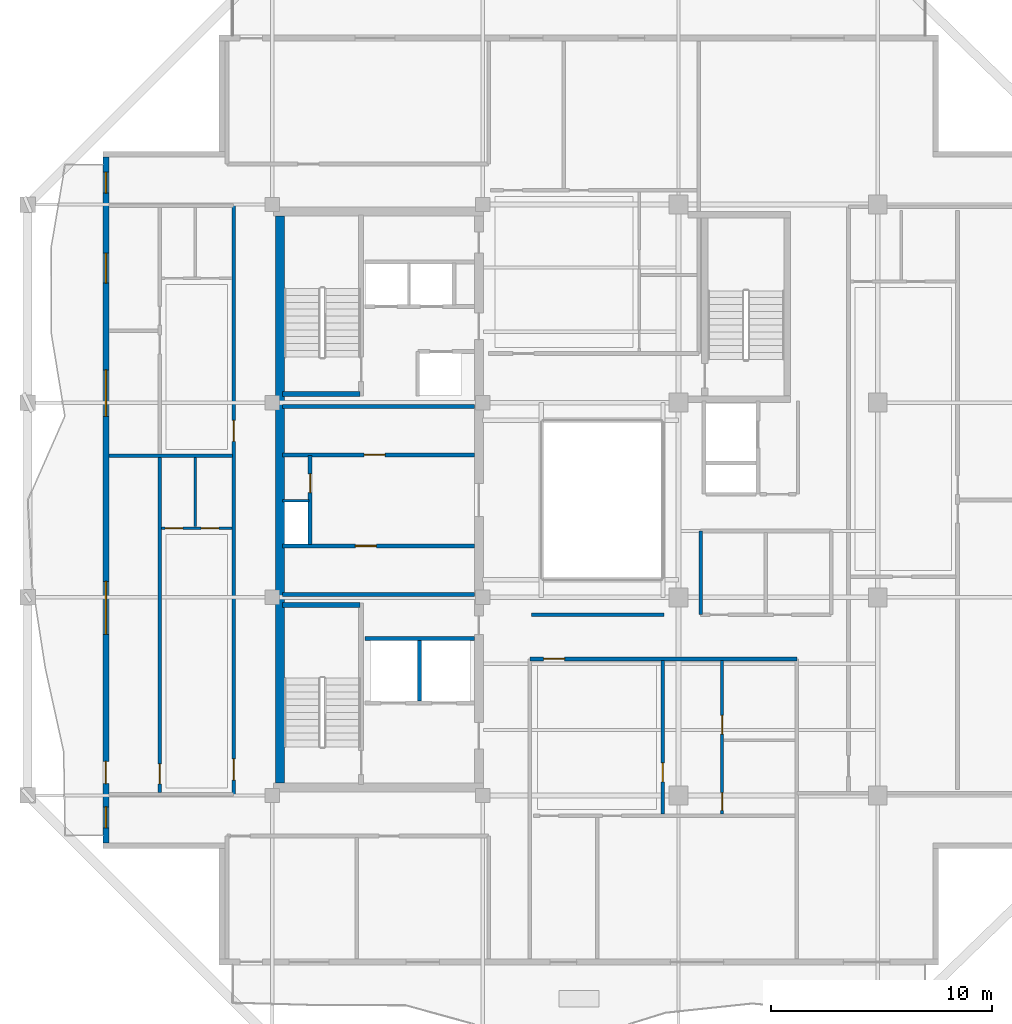
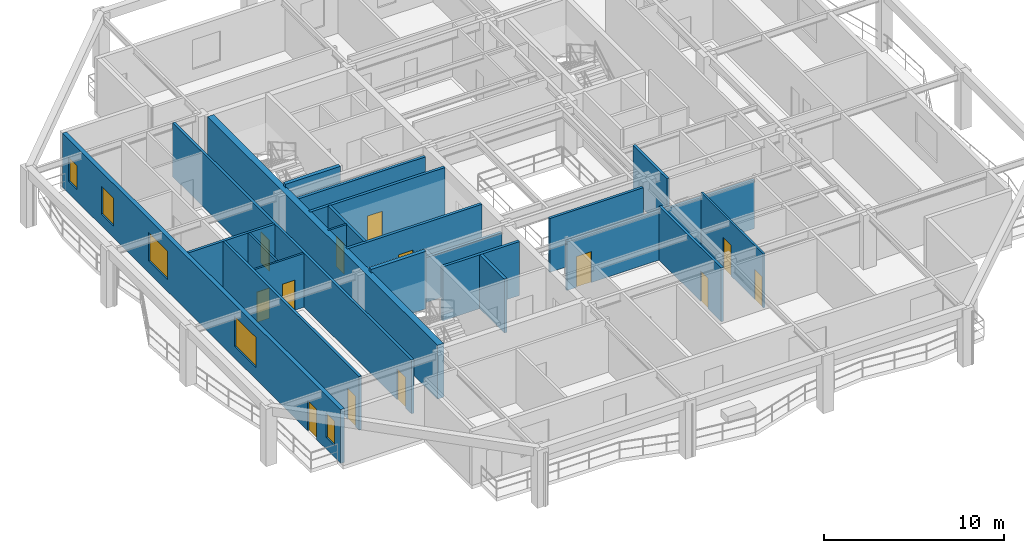
# One storey, part 3 of 11: 22 walls, 13 doors, 5 windows, 18 openings.
"""IFC4 building model written with IfcOpenShell, lengths in metres."""

from ifc_helpers import new_model, si_unit, direction, frame, frame_2d, origin, place, context, subcontext, project, spatial, rectangle, extrude, material, layer, layer_set, type_object, element, fill, save


model = new_model("IFC4")

# Units and contexts
model_context = context("Model", 3, precision=1e-05, world=origin(), true_north=direction((0.0, 1.0)))
body_context = subcontext(model_context, "Body", "Model", "MODEL_VIEW")
ifc_project = project(units=[si_unit("LENGTHUNIT", "METRE"), si_unit("AREAUNIT", "SQUARE_METRE"), si_unit("VOLUMEUNIT", "CUBIC_METRE"), si_unit("PLANEANGLEUNIT", "RADIAN"), si_unit("MASSUNIT", "GRAM", prefix="KILO")], contexts=[model_context])

# Site, building, storey
site_placement = place(None, origin())
site = spatial("IfcSite", under=ifc_project, at=site_placement, CompositionType="ELEMENT")
building_placement = place(site_placement, origin())
building = spatial("IfcBuilding", under=site, at=building_placement, Name="Kundavana Baori Tower", CompositionType="ELEMENT")
storey_placement = place(building_placement, frame((0.0, 0.0, 257.0)))
storey = spatial("IfcBuildingStorey", under=building, at=storey_placement, Name="L63", CompositionType="ELEMENT", Elevation=257.0)

# Walls
ifc_material_1 = material(Name="Concrete C50/60", Category="concrete")
ifc_layer_1 = layer(ifc_material_1, 0.39990234375, Name="WL-CORE-400")
ifc_layer_set_1 = layer_set([ifc_layer_1], Name="Concrete C50/60")
wall_type_1 = type_object("IfcWallType", Name="WL-CORE-400", PredefinedType="SHEAR", material=ifc_layer_set_1)
wall_1_placement = place(storey_placement, frame((15.7900390625, 15.81005859375, 0.0), z_axis=(0.0, 0.0, 1.0), x_axis=(0.0, 1.0, 0.0)))
element("IfcWall", 1, at=wall_1_placement, inside=storey, type_object=wall_type_1, Name="L63 Offset Core West Shear Wall", PredefinedType="SHEAR", context=body_context, shape_type="SweptSolid", body=[
    extrude(rectangle(XDim=25.6298828125, YDim=0.39990234375, at=frame_2d((12.81494140625, 0.0))), origin(), (0.0, 0.0, 1.0), 3.659912109375),
])
for number, where, z_axis, x_axis, name in (
    (2, (15.89990234375, 23.860107421875, 0.0), (0.0, 0.0, 1.0), (1.0, 0.0, 0.0), "WL-L63-ST1-N"),
    (3, (15.89990234375, 33.389892578125, 0.0), (0.0, 0.0, 1.0), (1.0, 0.0, 0.0), "WL-L63-ST2-S"),
):
    element("IfcWall", number, at=place(storey_placement, frame(where, z_axis=z_axis, x_axis=x_axis)), inside=storey, type_object=wall_type_1, Name=name, PredefinedType="SHEAR", context=body_context, shape_type="SweptSolid", body=[
        extrude(rectangle(XDim=3.52001953125, YDim=0.239990234375, at=frame_2d((1.760009765625, 0.0))), origin(), (0.0, 0.0, 1.0), 3.89990234375),
    ])

# Wall, openings, door, windows
ifc_material_2 = material(Name="Kiln-Fired Terracotta Brick-Slip Masonry on Concrete C40/50", Category="masonry")
ifc_layer_2 = layer(ifc_material_2, 0.260009765625, Name="WL-EXT-BRK-260")
ifc_layer_set_2 = layer_set([ifc_layer_2], Name="Kiln-Fired Terracotta Brick-Slip Masonry on Concrete C40/50")
wall_type_2 = type_object("IfcWallType", Name="WL-EXT-BRK-260", PredefinedType="SOLIDWALL", material=ifc_layer_set_2)
wall_2_placement = place(storey_placement, frame((7.929931640625, 44.090087890625, 0.0), z_axis=(0.0, 0.0, 1.0), x_axis=(0.0, -1.0, 0.0)))
wall_2 = element("IfcWall", 4, at=wall_2_placement, inside=storey, type_object=wall_type_2, Name="L63 Exterior Insulated Facade Wall 10", PredefinedType="SOLIDWALL", context=body_context, shape_type="SweptSolid", body=[
    extrude(rectangle(XDim=30.97998046875, YDim=0.260009765625, at=frame_2d((15.489990234375, 0.0))), origin(), (0.0, 0.0, 1.0), 3.659912109375),
])
opening_1_placement = place(wall_2_placement, frame((29.35498046875, 0.0, 0.800048828125)))
opening_1 = element("IfcOpeningElement", 5, at=opening_1_placement, cuts=wall_2, Name="Opening W-13", PredefinedType="OPENING", context=body_context, shape_type="SweptSolid", body=[
    extrude(rectangle(XDim=0.949951171875, YDim=1.64990234375, at=frame_2d((0.47509765625, 0.824951171875))), frame((0.0, 0.14013671875, 0.0), z_axis=(0.0, -1.0, 0.0), x_axis=(1.0, 0.0, 0.0)), (0.0, 0.0, 1.0), 0.280029296875),
])
opening_2_placement = place(wall_2_placement, frame((27.300048828125, 0.0, 0.0)))
opening_2 = element("IfcOpeningElement", 6, at=opening_2_placement, cuts=wall_2, Name="Opening BD-1", PredefinedType="OPENING", context=body_context, shape_type="SweptSolid", body=[
    extrude(rectangle(XDim=1.0, YDim=2.050048828125, at=frame_2d((0.5, 1.02490234375))), frame((0.0, 0.14013671875, 0.0), z_axis=(0.0, -1.0, 0.0), x_axis=(1.0, 0.0, 0.0)), (0.0, 0.0, 1.0), 0.280029296875),
])
opening_3_placement = place(wall_2_placement, frame((19.1650390625, 0.0, 0.800048828125)))
opening_3 = element("IfcOpeningElement", 7, at=opening_3_placement, cuts=wall_2, Name="Opening W-04", PredefinedType="OPENING", context=body_context, shape_type="SweptSolid", body=[
    extrude(rectangle(XDim=2.39990234375, YDim=2.050048828125, at=frame_2d((1.199951171875, 1.02490234375))), frame((0.0, 0.14013671875, 0.0), z_axis=(0.0, -1.0, 0.0), x_axis=(1.0, 0.0, 0.0)), (0.0, 0.0, 1.0), 0.280029296875),
])
opening_4_placement = place(wall_2_placement, frame((9.614990234375, 0.0, 0.800048828125)))
opening_4 = element("IfcOpeningElement", 8, at=opening_4_placement, cuts=wall_2, Name="Opening W-05", PredefinedType="OPENING", context=body_context, shape_type="SweptSolid", body=[
    extrude(rectangle(XDim=2.10009765625, YDim=1.949951171875, at=frame_2d((1.050048828125, 0.97509765625))), frame((0.0, 0.14013671875, 0.0), z_axis=(0.0, -1.0, 0.0), x_axis=(1.0, 0.0, 0.0)), (0.0, 0.0, 1.0), 0.280029296875),
])
opening_5_placement = place(wall_2_placement, frame((4.340087890625, 0.0, 0.800048828125)))
opening_5 = element("IfcOpeningElement", 9, at=opening_5_placement, cuts=wall_2, Name="Opening W-07", PredefinedType="OPENING", context=body_context, shape_type="SweptSolid", body=[
    extrude(rectangle(XDim=1.35009765625, YDim=1.89990234375, at=frame_2d((0.675048828125, 0.949951171875))), frame((0.0, 0.14013671875, 0.0), z_axis=(0.0, -1.0, 0.0), x_axis=(1.0, 0.0, 0.0)), (0.0, 0.0, 1.0), 0.280029296875),
])
opening_6_placement = place(wall_2_placement, frame((0.675048828125, 0.0, 0.800048828125)))
opening_6 = element("IfcOpeningElement", 10, at=opening_6_placement, cuts=wall_2, Name="Opening W-13", PredefinedType="OPENING", context=body_context, shape_type="SweptSolid", body=[
    extrude(rectangle(XDim=0.949951171875, YDim=1.64990234375, at=frame_2d((0.47509765625, 0.824951171875))), frame((0.0, 0.14013671875, 0.0), z_axis=(0.0, -1.0, 0.0), x_axis=(1.0, 0.0, 0.0)), (0.0, 0.0, 1.0), 0.280029296875),
])
ifc_material_3 = material(Name="Architectural Patinated Bronze Metalwork")
door_type_1 = type_object("IfcDoorType", Name="DR-EXT-LOG-1000", OperationType="NOTDEFINED", PredefinedType="DOOR", material=ifc_material_3)
door_1_placement = place(opening_2_placement, frame((1.0, 0.0, 0.0), z_axis=(0.0, 0.0, 1.0), x_axis=(-1.0, 0.0, 0.0)))
door_1 = element("IfcDoor", 11, at=door_1_placement, inside=storey, type_object=door_type_1, Name="L63 Loggia Balcony Access Door W", OperationType="SINGLE_SWING_LEFT", OverallHeight=2.050048828125, OverallWidth=1.0, PredefinedType="DOOR", context=body_context, shape_type="SweptSolid", body=[
    extrude(rectangle(XDim=1.0, YDim=2.050048828125, at=frame_2d((0.5, 1.02490234375))), frame((0.0, 0.02490234375, 0.0), z_axis=(0.0, -1.0, 0.0), x_axis=(1.0, 0.0, 0.0)), (0.0, 0.0, 1.0), 0.050048828125),
])
fill(opening_2, door_1)
ifc_material_4 = material(Name="Double-Glazed Solar-Control Low-E Insulated Glass", Category="glass")
window_type_1 = type_object("IfcWindowType", Name="WIN-LOG-1350x1900", PartitioningType="SINGLE_PANEL", PredefinedType="WINDOW", material=ifc_material_4)
window_1_placement = place(opening_5_placement, origin())
window_1 = element("IfcWindow", 12, at=window_1_placement, inside=storey, type_object=window_type_1, Name="L63 Recessed Loggia Window W-4", OverallHeight=1.89990234375, OverallWidth=1.35009765625, PartitioningType="SINGLE_PANEL", PredefinedType="WINDOW", context=body_context, shape_type="SweptSolid", body=[
    extrude(rectangle(XDim=1.35009765625, YDim=1.89990234375, at=frame_2d((0.675048828125, 0.949951171875))), frame((0.0, 0.030029296875, 0.0), z_axis=(0.0, -1.0, 0.0), x_axis=(1.0, 0.0, 0.0)), (0.0, 0.0, 1.0), 0.06005859375),
])
fill(opening_5, window_1)
ifc_material_5 = material(Name="Double-Glazed Solar-Control Low-E Insulated Glass", Category="glass")
window_type_2 = type_object("IfcWindowType", Name="WIN-LOG-2100x1950", PartitioningType="SINGLE_PANEL", PredefinedType="WINDOW", material=ifc_material_5)
window_2_placement = place(opening_4_placement, origin())
window_2 = element("IfcWindow", 13, at=window_2_placement, inside=storey, type_object=window_type_2, Name="L63 Recessed Loggia Window W-3", OverallHeight=1.949951171875, OverallWidth=2.10009765625, PartitioningType="SINGLE_PANEL", PredefinedType="WINDOW", context=body_context, shape_type="SweptSolid", body=[
    extrude(rectangle(XDim=2.10009765625, YDim=1.949951171875, at=frame_2d((1.050048828125, 0.97509765625))), frame((0.0, 0.030029296875, 0.0), z_axis=(0.0, -1.0, 0.0), x_axis=(1.0, 0.0, 0.0)), (0.0, 0.0, 1.0), 0.06005859375),
])
fill(opening_4, window_2)
ifc_material_6 = material(Name="Double-Glazed Solar-Control Low-E Insulated Glass", Category="glass")
window_type_3 = type_object("IfcWindowType", Name="WIN-LOG-2400x2050", PartitioningType="SINGLE_PANEL", PredefinedType="WINDOW", material=ifc_material_6)
window_3_placement = place(opening_3_placement, origin())
window_3 = element("IfcWindow", 14, at=window_3_placement, inside=storey, type_object=window_type_3, Name="L63 Recessed Loggia Window W-2", OverallHeight=2.050048828125, OverallWidth=2.39990234375, PartitioningType="SINGLE_PANEL", PredefinedType="WINDOW", context=body_context, shape_type="SweptSolid", body=[
    extrude(rectangle(XDim=2.39990234375, YDim=2.050048828125, at=frame_2d((1.199951171875, 1.02490234375))), frame((0.0, 0.030029296875, 0.0), z_axis=(0.0, -1.0, 0.0), x_axis=(1.0, 0.0, 0.0)), (0.0, 0.0, 1.0), 0.06005859375),
])
fill(opening_3, window_3)
ifc_material_7 = material(Name="Double-Glazed Solar-Control Low-E Insulated Glass", Category="glass")
window_type_4 = type_object("IfcWindowType", Name="WIN-LOG-950x1650", PartitioningType="SINGLE_PANEL", PredefinedType="WINDOW", material=ifc_material_7)
window_4_placement = place(opening_1_placement, origin())
window_4 = element("IfcWindow", 15, at=window_4_placement, inside=storey, type_object=window_type_4, Name="L63 Recessed Loggia Window W-1", OverallHeight=1.64990234375, OverallWidth=0.949951171875, PartitioningType="SINGLE_PANEL", PredefinedType="WINDOW", context=body_context, shape_type="SweptSolid", body=[
    extrude(rectangle(XDim=0.949951171875, YDim=1.64990234375, at=frame_2d((0.47509765625, 0.824951171875))), frame((0.0, 0.030029296875, 0.0), z_axis=(0.0, -1.0, 0.0), x_axis=(1.0, 0.0, 0.0)), (0.0, 0.0, 1.0), 0.06005859375),
])
fill(opening_1, window_4)
window_5_placement = place(opening_6_placement, origin())
window_5 = element("IfcWindow", 16, at=window_5_placement, inside=storey, type_object=window_type_4, Name="L63 Recessed Loggia Window W-5", OverallHeight=1.64990234375, OverallWidth=0.949951171875, PartitioningType="SINGLE_PANEL", PredefinedType="WINDOW", context=body_context, shape_type="SweptSolid", body=[
    extrude(rectangle(XDim=0.949951171875, YDim=1.64990234375, at=frame_2d((0.47509765625, 0.824951171875))), frame((0.0, 0.030029296875, 0.0), z_axis=(0.0, -1.0, 0.0), x_axis=(1.0, 0.0, 0.0)), (0.0, 0.0, 1.0), 0.06005859375),
])
fill(opening_6, window_5)

# Wall
ifc_material_8 = material(Name="Acoustic Gypsum Plasterboard on Galvanised Steel Studs", Category="steel")
ifc_layer_3 = layer(ifc_material_8, 0.1201171875, Name="WL-PART-120")
ifc_layer_set_3 = layer_set([ifc_layer_3], Name="Acoustic Gypsum Plasterboard on Galvanised Steel Studs")
wall_type_3 = type_object("IfcWallType", Name="WL-PART-120", PredefinedType="PARTITIONING", material=ifc_layer_set_3)
wall_3_placement = place(storey_placement, frame((15.89990234375, 28.56005859375, 0.0), z_axis=(0.0, 0.0, 1.0), x_axis=(1.0, 0.0, 0.0)))
element("IfcWall", 17, at=wall_3_placement, inside=storey, type_object=wall_type_3, Name="WL-L63-RSRW-N", PredefinedType="PARTITIONING", context=body_context, shape_type="SweptSolid", body=[
    extrude(rectangle(XDim=1.2001953125, YDim=0.1201171875, at=frame_2d((0.60009765625, 0.0))), origin(), (0.0, 0.0, 1.0), 3.659912109375),
])

# Wall, opening, door
ifc_material_9 = material(Name="Fire-Rated Gypsum Drywall on Galvanised Steel Studs", Category="steel")
ifc_layer_4 = layer(ifc_material_9, 0.1650390625, Name="WL-PART-165")
ifc_layer_set_4 = layer_set([ifc_layer_4], Name="Fire-Rated Gypsum Drywall on Galvanised Steel Studs")
wall_type_4 = type_object("IfcWallType", Name="WL-PART-165", PredefinedType="PARTITIONING", material=ifc_layer_set_4)
wall_4_placement = place(storey_placement, frame((27.080078125, 21.419921875, 0.0), z_axis=(0.0, 0.0, 1.0), x_axis=(1.0, 0.0, 0.0)))
wall_4 = element("IfcWall", 18, at=wall_4_placement, inside=storey, type_object=wall_type_4, Name="WL-L63-RS", PredefinedType="PARTITIONING", context=body_context, shape_type="SweptSolid", body=[
    extrude(rectangle(XDim=12.06982421875, YDim=0.1650390625, at=frame_2d((6.034912109375, 0.0))), origin(), (0.0, 0.0, 1.0), 3.31005859375),
])
opening_7_placement = place(wall_4_placement, frame((0.6298828125, 0.0, 0.0)))
opening_7 = element("IfcOpeningElement", 19, at=opening_7_placement, cuts=wall_4, Name="Opening FD-095", PredefinedType="OPENING", context=body_context, shape_type="SweptSolid", body=[
    extrude(rectangle(XDim=0.949951171875, YDim=2.10009765625, at=frame_2d((0.47509765625, 1.050048828125))), frame((0.0, 0.092529296875, 0.0), z_axis=(0.0, -1.0, 0.0), x_axis=(1.0, 0.0, 0.0)), (0.0, 0.0, 1.0), 0.18505859375),
])
ifc_material_10 = material(Name="Engineered Teak Fire-Rated Timber Door Leaf", Category="wood")
door_type_2 = type_object("IfcDoorType", Name="DR-FD60-950", OperationType="NOTDEFINED", PredefinedType="DOOR", material=ifc_material_10)
door_2_placement = place(opening_7_placement, frame((0.949951171875, 0.0, 0.0), z_axis=(0.0, 0.0, 1.0), x_axis=(-1.0, 0.0, 0.0)))
door_2 = element("IfcDoor", 20, at=door_2_placement, inside=storey, type_object=door_type_2, Name="DR-L63-S1-ENT", OperationType="SINGLE_SWING_RIGHT", OverallHeight=2.10009765625, OverallWidth=0.949951171875, PredefinedType="DOOR", context=body_context, shape_type="SweptSolid", body=[
    extrude(rectangle(XDim=0.949951171875, YDim=2.10009765625, at=frame_2d((0.47509765625, 1.050048828125))), frame((0.0, 0.02490234375, 0.0), z_axis=(0.0, -1.0, 0.0), x_axis=(1.0, 0.0, 0.0)), (0.0, 0.0, 1.0), 0.050048828125),
])
fill(opening_7, door_2)

# Wall
wall_5_placement = place(storey_placement, frame((27.14990234375, 23.419921875, 0.0), z_axis=(0.0, 0.0, 1.0), x_axis=(1.0, 0.0, 0.0)))
element("IfcWall", 21, at=wall_5_placement, inside=storey, type_object=wall_type_4, Name="WL-L63-RST", PredefinedType="PARTITIONING", context=body_context, shape_type="SweptSolid", body=[
    extrude(rectangle(XDim=6.0, YDim=0.1650390625, at=frame_2d((3.0, 0.0))), origin(), (0.0, 0.0, 1.0), 3.659912109375),
])

# Wall, openings, doors
wall_6_placement = place(storey_placement, frame((13.699951171875, 15.300048828125, 0.0), z_axis=(0.0, 0.0, 1.0), x_axis=(0.0, 1.0, 0.0)))
wall_6 = element("IfcWall", 22, at=wall_6_placement, inside=storey, type_object=wall_type_4, Name="WL-L63-RW", PredefinedType="PARTITIONING", context=body_context, shape_type="SweptSolid", body=[
    extrude(rectangle(XDim=26.599853515625, YDim=0.1650390625, at=frame_2d((13.2998046875, 0.0))), origin(), (0.0, 0.0, 1.0), 3.659912109375),
])
opening_8_placement = place(wall_6_placement, frame((0.64990234375, 0.0, 0.0)))
opening_8 = element("IfcOpeningElement", 23, at=opening_8_placement, cuts=wall_6, Name="Opening FD-095", PredefinedType="OPENING", context=body_context, shape_type="SweptSolid", body=[
    extrude(rectangle(XDim=0.949951171875, YDim=2.10009765625, at=frame_2d((0.47509765625, 1.050048828125))), frame((0.0, 0.092529296875, 0.0), z_axis=(0.0, -1.0, 0.0), x_axis=(1.0, 0.0, 0.0)), (0.0, 0.0, 1.0), 0.18505859375),
])
opening_9_placement = place(wall_6_placement, frame((15.949951171875, 0.0, 0.0)))
opening_9 = element("IfcOpeningElement", 24, at=opening_9_placement, cuts=wall_6, Name="Opening FD-095", PredefinedType="OPENING", context=body_context, shape_type="SweptSolid", body=[
    extrude(rectangle(XDim=0.949951171875, YDim=2.10009765625, at=frame_2d((0.47509765625, 1.050048828125))), frame((0.0, 0.092529296875, 0.0), z_axis=(0.0, -1.0, 0.0), x_axis=(1.0, 0.0, 0.0)), (0.0, 0.0, 1.0), 0.18505859375),
])
door_3_placement = place(opening_8_placement, frame((0.949951171875, 0.0, 0.0), z_axis=(0.0, 0.0, 1.0), x_axis=(-1.0, 0.0, 0.0)))
door_3 = element("IfcDoor", 25, at=door_3_placement, inside=storey, type_object=door_type_2, Name="DR-L63-W1-ENT", OperationType="SINGLE_SWING_LEFT", OverallHeight=2.10009765625, OverallWidth=0.949951171875, PredefinedType="DOOR", context=body_context, shape_type="SweptSolid", body=[
    extrude(rectangle(XDim=0.949951171875, YDim=2.10009765625, at=frame_2d((0.47509765625, 1.050048828125))), frame((0.0, 0.02490234375, 0.0), z_axis=(0.0, -1.0, 0.0), x_axis=(1.0, 0.0, 0.0)), (0.0, 0.0, 1.0), 0.050048828125),
])
fill(opening_8, door_3)
door_4_placement = place(opening_9_placement, frame((0.949951171875, 0.0, 0.0), z_axis=(0.0, 0.0, 1.0), x_axis=(-1.0, 0.0, 0.0)))
door_4 = element("IfcDoor", 26, at=door_4_placement, inside=storey, type_object=door_type_2, Name="DR-L63-W2-ENT", OperationType="SINGLE_SWING_LEFT", OverallHeight=2.10009765625, OverallWidth=0.949951171875, PredefinedType="DOOR", context=body_context, shape_type="SweptSolid", body=[
    extrude(rectangle(XDim=0.949951171875, YDim=2.10009765625, at=frame_2d((0.47509765625, 1.050048828125))), frame((0.0, 0.02490234375, 0.0), z_axis=(0.0, -1.0, 0.0), x_axis=(1.0, 0.0, 0.0)), (0.0, 0.0, 1.0), 0.050048828125),
])
fill(opening_9, door_4)

# Wall, opening, door
wall_7_placement = place(storey_placement, frame((10.3701171875, 15.3798828125, 0.0), z_axis=(0.0, 0.0, 1.0), x_axis=(0.0, 1.0, 0.0)))
wall_7 = element("IfcWall", 27, at=wall_7_placement, inside=storey, type_object=wall_type_4, Name="WL-L63-W1-VT", PredefinedType="PARTITIONING", context=body_context, shape_type="SweptSolid", body=[
    extrude(rectangle(XDim=15.14013671875, YDim=0.1650390625, at=frame_2d((7.570068359375, 0.0))), origin(), (0.0, 0.0, 1.0), 3.659912109375),
])
opening_10_placement = place(wall_7_placement, frame((0.39990234375, 0.0, 0.0)))
opening_10 = element("IfcOpeningElement", 28, at=opening_10_placement, cuts=wall_7, Name="Opening ID-090", PredefinedType="OPENING", context=body_context, shape_type="SweptSolid", body=[
    extrude(rectangle(XDim=0.89990234375, YDim=2.080078125, at=frame_2d((0.449951171875, 1.0400390625))), frame((0.0, 0.092529296875, 0.0), z_axis=(0.0, -1.0, 0.0), x_axis=(1.0, 0.0, 0.0)), (0.0, 0.0, 1.0), 0.18505859375),
])
ifc_material_11 = material(Name="Engineered Teak Solid-Core Timber Veneer", Category="wood")
door_type_3 = type_object("IfcDoorType", Name="DR-INT-900", OperationType="NOTDEFINED", PredefinedType="DOOR", material=ifc_material_11)
door_5_placement = place(opening_10_placement, frame((0.89990234375, 0.0, 0.0), z_axis=(0.0, 0.0, 1.0), x_axis=(-1.0, 0.0, 0.0)))
door_5 = element("IfcDoor", 29, at=door_5_placement, inside=storey, type_object=door_type_3, Name="DR-L63-W1-B1", OperationType="SINGLE_SWING_LEFT", OverallHeight=2.080078125, OverallWidth=0.89990234375, PredefinedType="DOOR", context=body_context, shape_type="SweptSolid", body=[
    extrude(rectangle(XDim=0.89990234375, YDim=2.080078125, at=frame_2d((0.449951171875, 1.0400390625))), frame((0.0, 0.02490234375, 0.0), z_axis=(0.0, -1.0, 0.0), x_axis=(1.0, 0.0, 0.0)), (0.0, 0.0, 1.0), 0.050048828125),
])
fill(opening_10, door_5)

# Wall
wall_8_placement = place(storey_placement, frame((8.080078125, 30.60009765625, 0.0), z_axis=(0.0, 0.0, 1.0), x_axis=(1.0, 0.0, 0.0)))
element("IfcWall", 30, at=wall_8_placement, inside=storey, type_object=wall_type_4, Name="WL-L63-RWD1", PredefinedType="PARTITIONING", context=body_context, shape_type="SweptSolid", body=[
    extrude(rectangle(XDim=5.559814453125, YDim=0.1650390625, at=frame_2d((2.77978515625, 0.0))), origin(), (0.0, 0.0, 1.0), 3.659912109375),
])

# Wall, opening, door
wall_9_placement = place(storey_placement, frame((33.090087890625, 14.4208984375, 0.0), z_axis=(0.0, 0.0, 1.0), x_axis=(0.0, 1.0, 0.0)))
wall_9 = element("IfcWall", 31, at=wall_9_placement, inside=storey, type_object=wall_type_4, Name="WL-L63-S1-STU", PredefinedType="PARTITIONING", context=body_context, shape_type="SweptSolid", body=[
    extrude(rectangle(XDim=6.919189453125, YDim=0.1650390625, at=frame_2d((3.45947265625, 0.0))), origin(), (0.0, 0.0, 1.0), 3.659912109375),
])
opening_11_placement = place(wall_9_placement, frame((1.449951171875, 0.0, 0.0)))
opening_11 = element("IfcOpeningElement", 32, at=opening_11_placement, cuts=wall_9, Name="Opening ID-085", PredefinedType="OPENING", context=body_context, shape_type="SweptSolid", body=[
    extrude(rectangle(XDim=0.85009765625, YDim=2.080078125, at=frame_2d((0.425048828125, 1.0400390625))), frame((0.0, 0.092529296875, 0.0), z_axis=(0.0, -1.0, 0.0), x_axis=(1.0, 0.0, 0.0)), (0.0, 0.0, 1.0), 0.18505859375),
])
ifc_material_12 = material(Name="Engineered Teak Solid-Core Timber Veneer", Category="wood")
door_type_4 = type_object("IfcDoorType", Name="DR-INT-850", OperationType="NOTDEFINED", PredefinedType="DOOR", material=ifc_material_12)
door_6_placement = place(opening_11_placement, origin())
door_6 = element("IfcDoor", 33, at=door_6_placement, inside=storey, type_object=door_type_4, Name="DR-L63-S1-STD", OperationType="SINGLE_SWING_LEFT", OverallHeight=2.080078125, OverallWidth=0.85009765625, PredefinedType="DOOR", context=body_context, shape_type="SweptSolid", body=[
    extrude(rectangle(XDim=0.85009765625, YDim=2.080078125, at=frame_2d((0.425048828125, 1.0400390625))), frame((0.0, 0.02490234375, 0.0), z_axis=(0.0, -1.0, 0.0), x_axis=(1.0, 0.0, 0.0)), (0.0, 0.0, 1.0), 0.050048828125),
])
fill(opening_11, door_6)

# Walls
wall_10_placement = place(storey_placement, frame((34.800048828125, 23.419921875, 0.0), z_axis=(0.0, 0.0, 1.0), x_axis=(0.0, 1.0, 0.0)))
element("IfcWall", 34, at=wall_10_placement, inside=storey, type_object=wall_type_4, Name="WL-L63-ALW", PredefinedType="PARTITIONING", context=body_context, shape_type="SweptSolid", body=[
    extrude(rectangle(XDim=3.780029296875, YDim=0.1650390625, at=frame_2d((1.89013671875, 0.0))), origin(), (0.0, 0.0, 1.0), 3.659912109375),
])
ifc_material_13 = material(Name="Autoclaved Aerated Concrete Blockwork Masonry", Category="masonry")
ifc_layer_5 = layer(ifc_material_13, 0.179931640625, Name="WL-SHAFT-180")
ifc_layer_set_5 = layer_set([ifc_layer_5], Name="Autoclaved Aerated Concrete Blockwork Masonry")
wall_type_5 = type_object("IfcWallType", Name="WL-SHAFT-180", PredefinedType="SOLIDWALL", material=ifc_layer_set_5)
wall_11_placement = place(storey_placement, frame((22.10009765625, 19.510009765625, 0.0), z_axis=(0.0, 0.0, 1.0), x_axis=(0.0, 1.0, 0.0)))
element("IfcWall", 35, at=wall_11_placement, inside=storey, type_object=wall_type_5, Name="WL-L63-FFL-MID", PredefinedType="SOLIDWALL", context=body_context, shape_type="SweptSolid", body=[
    extrude(rectangle(XDim=2.739990234375, YDim=0.179931640625, at=frame_2d((1.3701171875, 0.0))), origin(), (0.0, 0.0, 1.0), 3.659912109375),
])
wall_12_placement = place(storey_placement, frame((19.639892578125, 22.340087890625, 0.0), z_axis=(0.0, 0.0, 1.0), x_axis=(1.0, 0.0, 0.0)))
element("IfcWall", 36, at=wall_12_placement, inside=storey, type_object=wall_type_5, Name="WL-L63-FFL-N", PredefinedType="SOLIDWALL", context=body_context, shape_type="SweptSolid", body=[
    extrude(rectangle(XDim=4.940185546875, YDim=0.179931640625, at=frame_2d((2.47021484375, 0.0))), origin(), (0.0, 0.0, 1.0), 3.659912109375),
])

# Wall, opening, door
wall_13_placement = place(storey_placement, frame((15.89990234375, 26.52001953125, 0.0), z_axis=(0.0, 0.0, 1.0), x_axis=(1.0, 0.0, 0.0)))
wall_13 = element("IfcWall", 37, at=wall_13_placement, inside=storey, type_object=wall_type_5, Name="WL-L63-LPLOW-N", PredefinedType="SOLIDWALL", context=body_context, shape_type="SweptSolid", body=[
    extrude(rectangle(XDim=8.68017578125, YDim=0.179931640625, at=frame_2d((4.340087890625, 0.0))), origin(), (0.0, 0.0, 1.0), 3.659912109375),
])
opening_12_placement = place(wall_13_placement, frame((3.300048828125, 0.0, 0.0)))
opening_12 = element("IfcOpeningElement", 38, at=opening_12_placement, cuts=wall_13, Name="Opening FD-095", PredefinedType="OPENING", context=body_context, shape_type="SweptSolid", body=[
    extrude(rectangle(XDim=0.949951171875, YDim=2.10009765625, at=frame_2d((0.47509765625, 1.050048828125))), frame((0.0, 0.10009765625, 0.0), z_axis=(0.0, -1.0, 0.0), x_axis=(1.0, 0.0, 0.0)), (0.0, 0.0, 1.0), 0.199951171875),
])
door_7_placement = place(opening_12_placement, origin())
door_7 = element("IfcDoor", 39, at=door_7_placement, inside=storey, type_object=door_type_2, Name="DR-L63-FRLOW1", OperationType="SINGLE_SWING_LEFT", OverallHeight=2.10009765625, OverallWidth=0.949951171875, PredefinedType="DOOR", context=body_context, shape_type="SweptSolid", body=[
    extrude(rectangle(XDim=0.949951171875, YDim=2.10009765625, at=frame_2d((0.47509765625, 1.050048828125))), frame((0.0, 0.02490234375, 0.0), z_axis=(0.0, -1.0, 0.0), x_axis=(1.0, 0.0, 0.0)), (0.0, 0.0, 1.0), 0.050048828125),
])
fill(opening_12, door_7)

# Wall
wall_14_placement = place(storey_placement, frame((15.89990234375, 24.330078125, 0.0), z_axis=(0.0, 0.0, 1.0), x_axis=(1.0, 0.0, 0.0)))
element("IfcWall", 40, at=wall_14_placement, inside=storey, type_object=wall_type_5, Name="WL-L63-LPLOW-S", PredefinedType="SOLIDWALL", context=body_context, shape_type="SweptSolid", body=[
    extrude(rectangle(XDim=8.68017578125, YDim=0.179931640625, at=frame_2d((4.340087890625, 0.0))), origin(), (0.0, 0.0, 1.0), 3.06005859375),
])

# Wall, opening, door
wall_15_placement = place(storey_placement, frame((17.159912109375, 26.580078125, 0.0), z_axis=(0.0, 0.0, 1.0), x_axis=(0.0, 1.0, 0.0)))
wall_15 = element("IfcWall", 41, at=wall_15_placement, inside=storey, type_object=wall_type_5, Name="WL-L63-RSRW-E", PredefinedType="SOLIDWALL", context=body_context, shape_type="SweptSolid", body=[
    extrude(rectangle(XDim=4.02001953125, YDim=0.179931640625, at=frame_2d((2.010009765625, 0.0))), origin(), (0.0, 0.0, 1.0), 3.659912109375),
])
opening_13_placement = place(wall_15_placement, frame((2.35009765625, 0.0, 0.0)))
opening_13 = element("IfcOpeningElement", 42, at=opening_13_placement, cuts=wall_15, Name="Opening FD-085", PredefinedType="OPENING", context=body_context, shape_type="SweptSolid", body=[
    extrude(rectangle(XDim=0.85009765625, YDim=2.06005859375, at=frame_2d((0.425048828125, 1.030029296875))), frame((0.0, 0.10009765625, 0.0), z_axis=(0.0, -1.0, 0.0), x_axis=(1.0, 0.0, 0.0)), (0.0, 0.0, 1.0), 0.199951171875),
])
ifc_material_14 = material(Name="Galvanised Steel Fire-Rated Door Leaf", Category="steel")
door_type_5 = type_object("IfcDoorType", Name="DR-FD60-850", OperationType="NOTDEFINED", PredefinedType="DOOR", material=ifc_material_14)
door_8_placement = place(opening_13_placement, origin())
door_8 = element("IfcDoor", 43, at=door_8_placement, inside=storey, type_object=door_type_5, Name="DR-L63-CLN", OperationType="SINGLE_SWING_RIGHT", OverallHeight=2.06005859375, OverallWidth=0.85009765625, PredefinedType="DOOR", context=body_context, shape_type="SweptSolid", body=[
    extrude(rectangle(XDim=0.85009765625, YDim=2.06005859375, at=frame_2d((0.425048828125, 1.030029296875))), frame((0.0, 0.02490234375, 0.0), z_axis=(0.0, -1.0, 0.0), x_axis=(1.0, 0.0, 0.0)), (0.0, 0.0, 1.0), 0.050048828125),
])
fill(opening_13, door_8)

wall_16_placement = place(storey_placement, frame((15.89990234375, 30.639892578125, 0.0), z_axis=(0.0, 0.0, 1.0), x_axis=(1.0, 0.0, 0.0)))
wall_16 = element("IfcWall", 44, at=wall_16_placement, inside=storey, type_object=wall_type_5, Name="WL-L63-LPMID-S", PredefinedType="SOLIDWALL", context=body_context, shape_type="SweptSolid", body=[
    extrude(rectangle(XDim=8.68017578125, YDim=0.179931640625, at=frame_2d((4.340087890625, 0.0))), origin(), (0.0, 0.0, 1.0), 3.659912109375),
])
opening_14_placement = place(wall_16_placement, frame((3.699951171875, 0.0, 0.0)))
opening_14 = element("IfcOpeningElement", 45, at=opening_14_placement, cuts=wall_16, Name="Opening FD-095", PredefinedType="OPENING", context=body_context, shape_type="SweptSolid", body=[
    extrude(rectangle(XDim=0.949951171875, YDim=2.10009765625, at=frame_2d((0.47509765625, 1.050048828125))), frame((0.0, 0.10009765625, 0.0), z_axis=(0.0, -1.0, 0.0), x_axis=(1.0, 0.0, 0.0)), (0.0, 0.0, 1.0), 0.199951171875),
])
door_9_placement = place(opening_14_placement, frame((0.949951171875, 0.0, 0.0), z_axis=(0.0, 0.0, 1.0), x_axis=(-1.0, 0.0, 0.0)))
door_9 = element("IfcDoor", 46, at=door_9_placement, inside=storey, type_object=door_type_2, Name="DR-L63-FRMID1", OperationType="SINGLE_SWING_RIGHT", OverallHeight=2.10009765625, OverallWidth=0.949951171875, PredefinedType="DOOR", context=body_context, shape_type="SweptSolid", body=[
    extrude(rectangle(XDim=0.949951171875, YDim=2.10009765625, at=frame_2d((0.47509765625, 1.050048828125))), frame((0.0, 0.02490234375, 0.0), z_axis=(0.0, -1.0, 0.0), x_axis=(1.0, 0.0, 0.0)), (0.0, 0.0, 1.0), 0.050048828125),
])
fill(opening_14, door_9)

# Wall
wall_17_placement = place(storey_placement, frame((15.89990234375, 32.820068359375, 0.0), z_axis=(0.0, 0.0, 1.0), x_axis=(1.0, 0.0, 0.0)))
element("IfcWall", 47, at=wall_17_placement, inside=storey, type_object=wall_type_5, Name="WL-L63-LPMID-N", PredefinedType="SOLIDWALL", context=body_context, shape_type="SweptSolid", body=[
    extrude(rectangle(XDim=8.68017578125, YDim=0.179931640625, at=frame_2d((4.340087890625, 0.0))), origin(), (0.0, 0.0, 1.0), 3.06005859375),
])

# Wall, openings, doors
ifc_material_15 = material(Name="Autoclaved Aerated Concrete Blockwork Masonry", Category="masonry")
ifc_layer_6 = layer(ifc_material_15, 0.125, Name="WL-WET-120")
ifc_layer_set_6 = layer_set([ifc_layer_6], Name="Autoclaved Aerated Concrete Blockwork Masonry")
wall_type_6 = type_object("IfcWallType", Name="WL-WET-120", PredefinedType="PLUMBINGWALL", material=ifc_layer_set_6)
wall_18_placement = place(storey_placement, frame((10.449951171875, 27.320068359375, 0.0), z_axis=(0.0, 0.0, 1.0), x_axis=(1.0, 0.0, 0.0)))
wall_18 = element("IfcWall", 48, at=wall_18_placement, inside=storey, type_object=wall_type_6, Name="WL-L63-W1-KH", PredefinedType="PLUMBINGWALL", context=body_context, shape_type="SweptSolid", body=[
    extrude(rectangle(XDim=3.170166015625, YDim=0.125, at=frame_2d((1.5849609375, 0.0))), origin(), (0.0, 0.0, 1.0), 3.659912109375),
])
opening_15_placement = place(wall_18_placement, frame((0.159912109375, 0.0, 0.0)))
opening_15 = element("IfcOpeningElement", 49, at=opening_15_placement, cuts=wall_18, Name="Opening WD-080", PredefinedType="OPENING", context=body_context, shape_type="SweptSolid", body=[
    extrude(rectangle(XDim=0.800048828125, YDim=2.050048828125, at=frame_2d((0.39990234375, 1.02490234375))), frame((0.0, 0.072509765625, 0.0), z_axis=(0.0, -1.0, 0.0), x_axis=(1.0, 0.0, 0.0)), (0.0, 0.0, 1.0), 0.14501953125),
])
opening_16_placement = place(wall_18_placement, frame((1.781982421875, 0.0, 0.0)))
opening_16 = element("IfcOpeningElement", 50, at=opening_16_placement, cuts=wall_18, Name="Opening WD-080", PredefinedType="OPENING", context=body_context, shape_type="SweptSolid", body=[
    extrude(rectangle(XDim=0.800048828125, YDim=2.050048828125, at=frame_2d((0.39990234375, 1.02490234375))), frame((0.0, 0.072509765625, 0.0), z_axis=(0.0, -1.0, 0.0), x_axis=(1.0, 0.0, 0.0)), (0.0, 0.0, 1.0), 0.14501953125),
])
ifc_material_16 = material(Name="Engineered Teak Solid-Core Timber Veneer", Category="wood")
door_type_6 = type_object("IfcDoorType", Name="DR-WET-800", OperationType="NOTDEFINED", PredefinedType="DOOR", material=ifc_material_16)
door_10_placement = place(opening_15_placement, origin())
door_10 = element("IfcDoor", 51, at=door_10_placement, inside=storey, type_object=door_type_6, Name="DR-L63-W1-BT", OperationType="SINGLE_SWING_LEFT", OverallHeight=2.050048828125, OverallWidth=0.800048828125, PredefinedType="DOOR", context=body_context, shape_type="SweptSolid", body=[
    extrude(rectangle(XDim=0.800048828125, YDim=2.050048828125, at=frame_2d((0.39990234375, 1.02490234375))), frame((0.0, 0.02490234375, 0.0), z_axis=(0.0, -1.0, 0.0), x_axis=(1.0, 0.0, 0.0)), (0.0, 0.0, 1.0), 0.050048828125),
])
fill(opening_15, door_10)
door_11_placement = place(opening_16_placement, origin())
door_11 = element("IfcDoor", 52, at=door_11_placement, inside=storey, type_object=door_type_6, Name="DR-L63-W1-KT", OperationType="SINGLE_SWING_RIGHT", OverallHeight=2.050048828125, OverallWidth=0.800048828125, PredefinedType="DOOR", context=body_context, shape_type="SweptSolid", body=[
    extrude(rectangle(XDim=0.800048828125, YDim=2.050048828125, at=frame_2d((0.39990234375, 1.02490234375))), frame((0.0, 0.02490234375, 0.0), z_axis=(0.0, -1.0, 0.0), x_axis=(1.0, 0.0, 0.0)), (0.0, 0.0, 1.0), 0.050048828125),
])
fill(opening_16, door_11)

# Wall
wall_19_placement = place(storey_placement, frame((11.971923828125, 27.39990234375, 0.0), z_axis=(0.0, 0.0, 1.0), x_axis=(0.0, 1.0, 0.0)))
element("IfcWall", 53, at=wall_19_placement, inside=storey, type_object=wall_type_6, Name="WL-L63-W1-BV", PredefinedType="PLUMBINGWALL", context=body_context, shape_type="SweptSolid", body=[
    extrude(rectangle(XDim=3.1201171875, YDim=0.125, at=frame_2d((1.56005859375, 0.0))), origin(), (0.0, 0.0, 1.0), 3.659912109375),
])

# Wall, openings, doors
wall_20_placement = place(storey_placement, frame((35.77001953125, 14.4208984375, 0.0), z_axis=(0.0, 0.0, 1.0), x_axis=(0.0, 1.0, 0.0)))
wall_20 = element("IfcWall", 54, at=wall_20_placement, inside=storey, type_object=wall_type_6, Name="WL-L63-S1-KT", PredefinedType="PLUMBINGWALL", context=body_context, shape_type="SweptSolid", body=[
    extrude(rectangle(XDim=6.919189453125, YDim=0.125, at=frame_2d((3.45947265625, 0.0))), origin(), (0.0, 0.0, 1.0), 3.659912109375),
])
opening_17_placement = place(wall_20_placement, frame((0.159912109375, 0.0, 0.0)))
opening_17 = element("IfcOpeningElement", 55, at=opening_17_placement, cuts=wall_20, Name="Opening WD-080", PredefinedType="OPENING", context=body_context, shape_type="SweptSolid", body=[
    extrude(rectangle(XDim=0.800048828125, YDim=2.050048828125, at=frame_2d((0.39990234375, 1.02490234375))), frame((0.0, 0.072509765625, 0.0), z_axis=(0.0, -1.0, 0.0), x_axis=(1.0, 0.0, 0.0)), (0.0, 0.0, 1.0), 0.14501953125),
])
opening_18_placement = place(wall_20_placement, frame((3.60107421875, 0.0, 0.0)))
opening_18 = element("IfcOpeningElement", 56, at=opening_18_placement, cuts=wall_20, Name="Opening ID-085", PredefinedType="OPENING", context=body_context, shape_type="SweptSolid", body=[
    extrude(rectangle(XDim=0.85009765625, YDim=2.080078125, at=frame_2d((0.425048828125, 1.0400390625))), frame((0.0, 0.072509765625, 0.0), z_axis=(0.0, -1.0, 0.0), x_axis=(1.0, 0.0, 0.0)), (0.0, 0.0, 1.0), 0.14501953125),
])
door_12_placement = place(opening_18_placement, origin())
door_12 = element("IfcDoor", 57, at=door_12_placement, inside=storey, type_object=door_type_4, Name="DR-L63-S1-KT", OperationType="SINGLE_SWING_RIGHT", OverallHeight=2.080078125, OverallWidth=0.85009765625, PredefinedType="DOOR", context=body_context, shape_type="SweptSolid", body=[
    extrude(rectangle(XDim=0.85009765625, YDim=2.080078125, at=frame_2d((0.425048828125, 1.0400390625))), frame((0.0, 0.02490234375, 0.0), z_axis=(0.0, -1.0, 0.0), x_axis=(1.0, 0.0, 0.0)), (0.0, 0.0, 1.0), 0.050048828125),
])
fill(opening_18, door_12)
door_13_placement = place(opening_17_placement, origin())
door_13 = element("IfcDoor", 58, at=door_13_placement, inside=storey, type_object=door_type_6, Name="DR-L63-S1-BT", OperationType="SINGLE_SWING_LEFT", OverallHeight=2.050048828125, OverallWidth=0.800048828125, PredefinedType="DOOR", context=body_context, shape_type="SweptSolid", body=[
    extrude(rectangle(XDim=0.800048828125, YDim=2.050048828125, at=frame_2d((0.39990234375, 1.02490234375))), frame((0.0, 0.02490234375, 0.0), z_axis=(0.0, -1.0, 0.0), x_axis=(1.0, 0.0, 0.0)), (0.0, 0.0, 1.0), 0.050048828125),
])
fill(opening_17, door_13)

save(model, "model.ifc")
